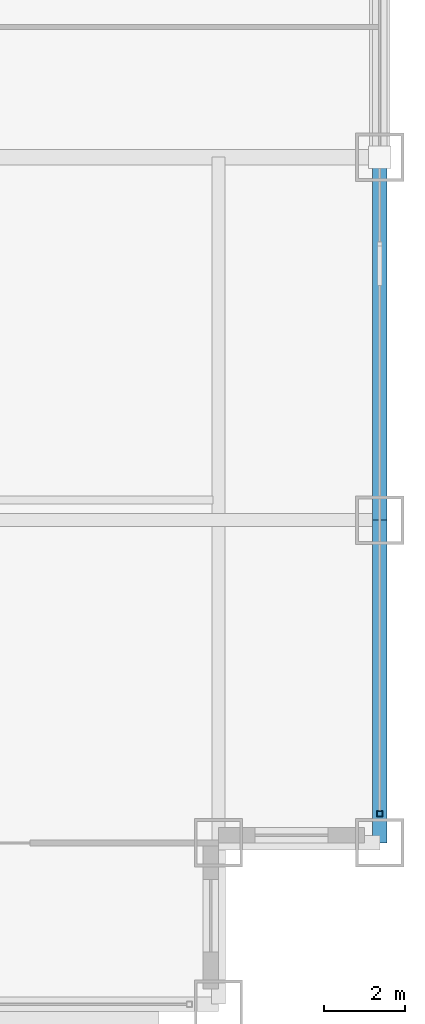
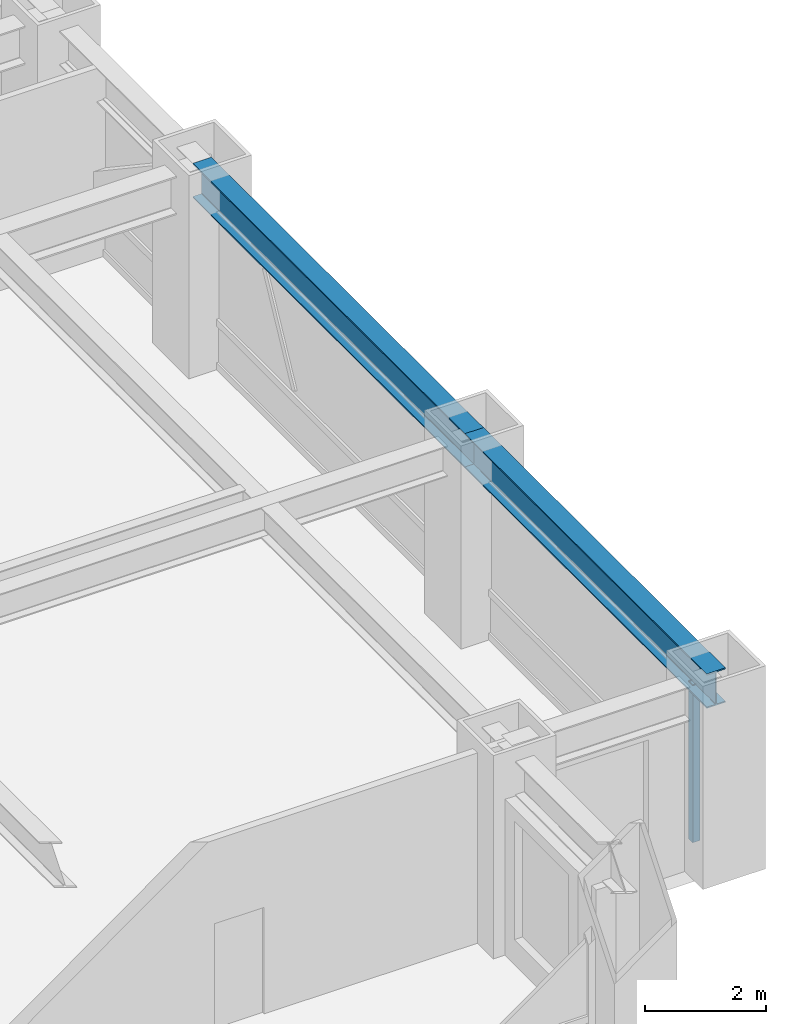
# One storey, part 12 of 32: 2 beams, 1 member, 1 element without a shape of its own.
"""IFC4 building model written with IfcOpenShell, lengths in metres."""

import ifcopenshell
import ifcopenshell.guid

model = None  # the IFC model being written
_history = None  # IfcOwnerHistory: only IFC2X3 demands one
_inside = {}  # id of a spatial element -> (the spatial element, [elements in it])
_under = {}  # id of a project, library or spatial element -> (it, [spatial elements below it])
_declared = {}  # id of a project -> (the project, [libraries it declares])
_typed = {}  # id of a type object -> (the type object, [elements of that type])
_made_of = {}  # id of a material, layer set ... -> (it, [elements and type objects made of it])


def new_model(schema):
    """Start an empty IFC model of exactly this schema.

    Asked for "IFC4X3", IfcOpenShell would pick the latest addendum, in which some entities
    have other attributes; the version numbers below select the first issue.
    IFC2X3 requires an IfcOwnerHistory on every rooted entity: one is made here for all.
    """
    global model, _history
    if schema == "IFC4X3":
        model = ifcopenshell.file(schema_version=(4, 3, 0, 0))
    else:
        model = ifcopenshell.file(schema=schema)
    _inside.clear()
    _under.clear()
    _declared.clear()
    _typed.clear()
    _made_of.clear()
    _history = None
    if model.schema == "IFC2X3":
        org = make("IfcOrganization", Name="unknown")
        user = make(
            "IfcPersonAndOrganization",
            ThePerson=make("IfcPerson", FamilyName="unknown"),
            TheOrganization=org,
        )
        app = make(
            "IfcApplication",
            ApplicationDeveloper=org,
            Version="unknown",
            ApplicationFullName="unknown",
            ApplicationIdentifier="unknown",
        )
        _history = make(
            "IfcOwnerHistory",
            OwningUser=user,
            OwningApplication=app,
            ChangeAction="ADDED",
            CreationDate=0,
        )
    return model


def make(cls, **values):
    """One entity of the class cls with the attributes given. An attribute that is None is left unset."""
    return model.create_entity(
        cls, **{name: value for name, value in values.items() if value is not None}
    )


def rooted(cls, **values):
    """An entity with a GlobalId (a new one), such as an element, a storey or a relation."""
    return make(cls, GlobalId=ifcopenshell.guid.new(), OwnerHistory=_history, **values)


def si_unit(unit_type, name, prefix=None):
    """IfcSIUnit, for example si_unit("LENGTHUNIT", "METRE", prefix="MILLI")."""
    return make("IfcSIUnit", UnitType=unit_type, Prefix=prefix, Name=name)


def assignment(units):
    """IfcUnitAssignment: the units of a project."""
    return None if units is None else make("IfcUnitAssignment", Units=units)


def point(xyz):
    """IfcCartesianPoint."""
    return None if xyz is None else make("IfcCartesianPoint", Coordinates=xyz)


def direction(xyz):
    """IfcDirection."""
    return None if xyz is None else make("IfcDirection", DirectionRatios=xyz)


def frame(location, z_axis=None, x_axis=None):
    """IfcAxis2Placement3D, a coordinate frame: its origin and axes. An axis left out is left unset."""
    return make(
        "IfcAxis2Placement3D",
        Location=point(location),
        Axis=direction(z_axis),
        RefDirection=direction(x_axis),
    )


def frame_2d(location, x_axis=None):
    """IfcAxis2Placement2D, a coordinate frame in the plane: its origin and x axis."""
    return make(
        "IfcAxis2Placement2D", Location=point(location), RefDirection=direction(x_axis)
    )


def origin():
    """The frame at (0, 0, 0) with its axes left unset."""
    return frame((0.0, 0.0, 0.0))


def origin_2d():
    """The frame at (0, 0) in the plane with its x axis left unset."""
    return frame_2d((0.0, 0.0))


def place(relative_to, where):
    """IfcLocalPlacement: puts the frame where relative to a parent placement (None: the world)."""
    return make(
        "IfcLocalPlacement", PlacementRelTo=relative_to, RelativePlacement=where
    )


def context(
    kind, dimensions, precision=None, world=None, true_north=None, identifier=None
):
    """IfcGeometricRepresentationContext, for example the 3D "Model" context."""
    return make(
        "IfcGeometricRepresentationContext",
        ContextIdentifier=identifier,
        ContextType=kind,
        CoordinateSpaceDimension=dimensions,
        Precision=precision,
        WorldCoordinateSystem=world,
        TrueNorth=true_north,
    )


def subcontext(parent, identifier, kind, view, scale=None):
    """IfcGeometricRepresentationSubContext, for example "Body" below "Model"."""
    return make(
        "IfcGeometricRepresentationSubContext",
        ContextIdentifier=identifier,
        ContextType=kind,
        ParentContext=parent,
        TargetScale=scale,
        TargetView=view,
    )


def project(units=None, contexts=None):
    """IfcProject with its units and contexts."""
    return rooted(
        "IfcProject",
        Name="project",
        RepresentationContexts=contexts,
        UnitsInContext=assignment(units),
    )


def spatial(cls, under=None, at=None, **own):
    """A site, building, storey or space (cls), placed at a placement, below another one or the project."""
    s = rooted(cls, ObjectPlacement=at, **own)
    if under is not None:
        _under.setdefault(under.id(), (under, []))[1].append(s)
    return s


def profile(cls, at=None, kind="AREA", **sizes):
    """A parametric profile (cls). Its sizes go by their IFC names, for example OverallWidth=200.0."""
    return make(cls, ProfileType=kind, Position=at, **sizes)


def hollow_rectangle(**sizes):
    """IfcRectangleHollowProfileDef."""
    return profile("IfcRectangleHollowProfileDef", **sizes)


def i_section(**sizes):
    """IfcIShapeProfileDef."""
    return profile("IfcIShapeProfileDef", **sizes)


def extrude(swept, where, along, depth):
    """IfcExtrudedAreaSolid: the profile swept, set in the frame where, extruded along a direction by depth."""
    return make(
        "IfcExtrudedAreaSolid",
        SweptArea=swept,
        Position=where,
        ExtrudedDirection=direction(along),
        Depth=depth,
    )


def shape(context_of_items, identifier, shape_type, items):
    """IfcShapeRepresentation: the items that make up one representation, for example the "Body"."""
    return make(
        "IfcShapeRepresentation",
        ContextOfItems=context_of_items,
        RepresentationIdentifier=identifier,
        RepresentationType=shape_type,
        Items=items,
    )


def source(mapping_origin, context_of_items, identifier, shape_type, items):
    """IfcRepresentationMap: a shape defined once, which mapped items show again and again."""
    return make(
        "IfcRepresentationMap",
        MappingOrigin=mapping_origin,
        MappedRepresentation=shape(context_of_items, identifier, shape_type, items),
    )


def transform(
    local_origin,
    x_axis=None,
    y_axis=None,
    z_axis=None,
    scale=None,
    scale2=None,
    scale3=None,
    uniform=True,
):
    """IfcCartesianTransformationOperator3D, or its non-uniform kind. x_axis, y_axis, z_axis: its Axis1, 2, 3."""
    if uniform:
        return make(
            "IfcCartesianTransformationOperator3D",
            Axis1=direction(x_axis),
            Axis2=direction(y_axis),
            LocalOrigin=point(local_origin),
            Scale=scale,
            Axis3=direction(z_axis),
        )
    return make(
        "IfcCartesianTransformationOperator3DnonUniform",
        Axis1=direction(x_axis),
        Axis2=direction(y_axis),
        LocalOrigin=point(local_origin),
        Scale=scale,
        Axis3=direction(z_axis),
        Scale2=scale2,
        Scale3=scale3,
    )


def mapped(mapping_source, mapping_target):
    """IfcMappedItem: shows the shape of a source again, moved by a transform."""
    return make(
        "IfcMappedItem", MappingSource=mapping_source, MappingTarget=mapping_target
    )


def material(Name=None, Category=None):
    """IfcMaterial."""
    return make("IfcMaterial", Name=Name, Category=Category)


def material_profile(
    of_material, cross_section, Name=None, Category=None, Priority=None
):
    """IfcMaterialProfile: a cross section and its material."""
    return make(
        "IfcMaterialProfile",
        Name=Name,
        Material=of_material,
        Profile=cross_section,
        Priority=Priority,
        Category=Category,
    )


def profile_set(profiles, Name=None, composite=None):
    """IfcMaterialProfileSet."""
    return make(
        "IfcMaterialProfileSet",
        Name=Name,
        MaterialProfiles=profiles,
        CompositeProfile=composite,
    )


def made_of(thing, what):
    """Note that an element or type object is made of a material, layer set ...; save() writes the relation."""
    if what is not None:
        _made_of.setdefault(what.id(), (what, []))[1].append(thing)
    return thing


def type_object(cls, material=None, **own):
    """A type object (cls), such as IfcWallType, which elements share."""
    return made_of(rooted(cls, **own), material)


def element(
    cls,
    number,
    at=None,
    inside=None,
    cuts=None,
    type_object=None,
    material=None,
    context=None,
    identifier="Body",
    shape_type=None,
    held_by="IfcProductDefinitionShape",
    body=None,
    shapes=None,
    **own,
):
    """One element of the class cls, such as IfcWall. Its Tag is "e" and its number.

    at: its placement. inside: the storey or other place that contains it. cuts: it is an
    opening in that element (IfcRelVoidsElement). A single representation is given by context,
    identifier, shape_type and body (its items); several are given by shapes. held_by: the class
    of the entity that holds the representations. save() writes the other relations.
    """
    e = rooted(cls, Tag="e%d" % number, ObjectPlacement=at, **own)
    if body is not None:
        shapes = [shape(context, identifier, shape_type, body)]
    if shapes is not None:
        e.Representation = make(held_by, Representations=shapes)
    if inside is not None:
        _inside.setdefault(inside.id(), (inside, []))[1].append(e)
    if cuts is not None:
        rooted(
            "IfcRelVoidsElement", RelatingBuildingElement=cuts, RelatedOpeningElement=e
        )
    if type_object is not None:
        _typed.setdefault(type_object.id(), (type_object, []))[1].append(e)
    return made_of(e, material)


def aggregate(whole, parts):
    """IfcRelAggregates: a whole, such as a stair, and the parts it consists of."""
    return rooted("IfcRelAggregates", RelatingObject=whole, RelatedObjects=parts)


def save(model, path):
    """Write the relations noted so far, then the file.

    IfcRelAggregates (storeys below a building ...), IfcRelContainedInSpatialStructure (elements
    in a storey), IfcRelDefinesByType, IfcRelAssociatesMaterial and IfcRelDeclares: one each for
    every whole, place, type object, material and project.
    """
    for whole, parts in _under.values():
        aggregate(whole, parts)
    for where, things in _inside.values():
        rooted(
            "IfcRelContainedInSpatialStructure",
            RelatedElements=things,
            RelatingStructure=where,
        )
    for kind, things in _typed.values():
        rooted("IfcRelDefinesByType", RelatedObjects=things, RelatingType=kind)
    for what, things in _made_of.values():
        rooted("IfcRelAssociatesMaterial", RelatedObjects=things, RelatingMaterial=what)
    for by, libraries in _declared.values():
        rooted("IfcRelDeclares", RelatingContext=by, RelatedDefinitions=libraries)
    model.write(path)


model = new_model("IFC4")

# Units and contexts
model_context = context("Model", 3, precision=1e-05, world=origin(), true_north=direction((0.0, 1.0)))
body_context = subcontext(model_context, "Body", "Model", "MODEL_VIEW")
ifc_project = project(units=[si_unit("LENGTHUNIT", "METRE"), si_unit("AREAUNIT", "SQUARE_METRE"), si_unit("VOLUMEUNIT", "CUBIC_METRE"), si_unit("PLANEANGLEUNIT", "RADIAN"), si_unit("MASSUNIT", "GRAM", prefix="KILO")], contexts=[model_context])

# Site, building, storey
site_placement = place(None, origin())
site = spatial("IfcSite", under=ifc_project, at=site_placement, CompositionType="ELEMENT")
building_placement = place(site_placement, origin())
building = spatial("IfcBuilding", under=site, at=building_placement, Name="Khorayat Bourse Tower", CompositionType="ELEMENT")
storey_placement = place(building_placement, frame((0.0, 0.0, 91.39990234375)))
storey = spatial("IfcBuildingStorey", under=building, at=storey_placement, Name="L20", CompositionType="ELEMENT", Elevation=91.39990234375)

# Beams
ifc_material_1 = material(Name="Steel ASTM A992 Grade 50", Category="steel")
ifc_material_profile_1 = material_profile(ifc_material_1, i_section(OverallWidth=0.35498046875, OverallDepth=0.695068359375, WebThickness=0.015380859375, FlangeThickness=0.02490234375, FilletRadius=0.01806640625, at=origin_2d()), Name="W690X217")
ifc_profile_set_1 = profile_set([ifc_material_profile_1], Name="Steel ASTM A992 Grade 50")
beam_type = type_object("IfcBeamType", Name="BM-SPAN-690", PredefinedType="SPANDREL", material=ifc_profile_set_1)
shared_shape_1 = source(origin(), body_context, "Body", "SweptSolid", [
    extrude(i_section(OverallWidth=0.35498046875, OverallDepth=0.695068359375, WebThickness=0.015380859375, FlangeThickness=0.02490234375, FilletRadius=0.01806640625, at=origin_2d()), origin(), (0.0, 0.0, 1.0), 9.0),
])
beam_1_placement = place(storey_placement, frame((32.0, -20.0, 3.49267578125), z_axis=(0.0, 1.0, 0.0), x_axis=(-1.0, 0.0, 0.0)))
element("IfcBeam", 1, at=beam_1_placement, inside=storey, type_object=beam_type, Name="L20 BM-SPAN-690 BM-L20-SPN-035", PredefinedType="SPANDREL", context=body_context, shape_type="MappedRepresentation", body=[
    mapped(shared_shape_1, transform((0.0, 0.0, 0.0), scale=1.0)),
])
shared_shape_2 = source(origin(), body_context, "Body", "SweptSolid", [
    extrude(i_section(OverallWidth=0.35498046875, OverallDepth=0.695068359375, WebThickness=0.015380859375, FlangeThickness=0.02490234375, FilletRadius=0.01806640625, at=origin_2d()), origin(), (0.0, 0.0, 1.0), 8.0),
])
beam_2_placement = place(storey_placement, frame((32.0, -28.0, 3.49267578125), z_axis=(0.0, 1.0, 0.0), x_axis=(-1.0, 0.0, 0.0)))
element("IfcBeam", 2, at=beam_2_placement, inside=storey, type_object=beam_type, Name="L20 BM-SPAN-690 BM-L20-SPN-034", PredefinedType="SPANDREL", context=body_context, shape_type="MappedRepresentation", body=[
    mapped(shared_shape_2, transform((0.0, 0.0, 0.0), scale=1.0)),
])

# Curtain wall, member
ifc_material_2 = material(Name="Aluminium EN AW-6063 T6", Category="aluminium")
curtain_wall_type = type_object("IfcCurtainWallType", Name="CW-SYS-02", PredefinedType="NOTDEFINED", material=ifc_material_2)
curtain_wall_placement = place(storey_placement, origin())
curtain_wall = element("IfcCurtainWall", 3, at=curtain_wall_placement, inside=storey, type_object=curtain_wall_type, Name="L20 Curtain Wall CW-L20-E1", PredefinedType="NOTDEFINED")
ifc_material_profile_2 = material_profile(ifc_material_2, hollow_rectangle(XDim=0.139892578125, YDim=0.139892578125, WallThickness=0.006103515625, at=origin_2d()), Name="ALU 140x140x6")
ifc_profile_set_2 = profile_set([ifc_material_profile_2], Name="Aluminium EN AW-6063 T6")
member_type = type_object("IfcMemberType", Name="CWM-VERT-140", PredefinedType="MULLION", material=ifc_profile_set_2)
shared_shape_3 = source(origin(), body_context, "Body", "SweptSolid", [
    extrude(hollow_rectangle(XDim=0.139892578125, YDim=0.139892578125, WallThickness=0.006103515625, at=origin_2d()), origin(), (0.0, 0.0, 1.0), 3.190185546875),
])
member_placement = place(storey_placement, frame((32.0, -27.280029296875, 0.0), z_axis=(0.0, 0.0, 1.0), x_axis=(-1.0, 0.0, 0.0)))
member = element("IfcMember", 4, at=member_placement, type_object=member_type, Name="CW-L20-E1 Vertical Mullion 1", PredefinedType="MULLION", context=body_context, shape_type="MappedRepresentation", body=[
    mapped(shared_shape_3, transform((0.0, 0.0, 0.0), scale=1.0)),
])
aggregate(curtain_wall, [member])

save(model, "model.ifc")
